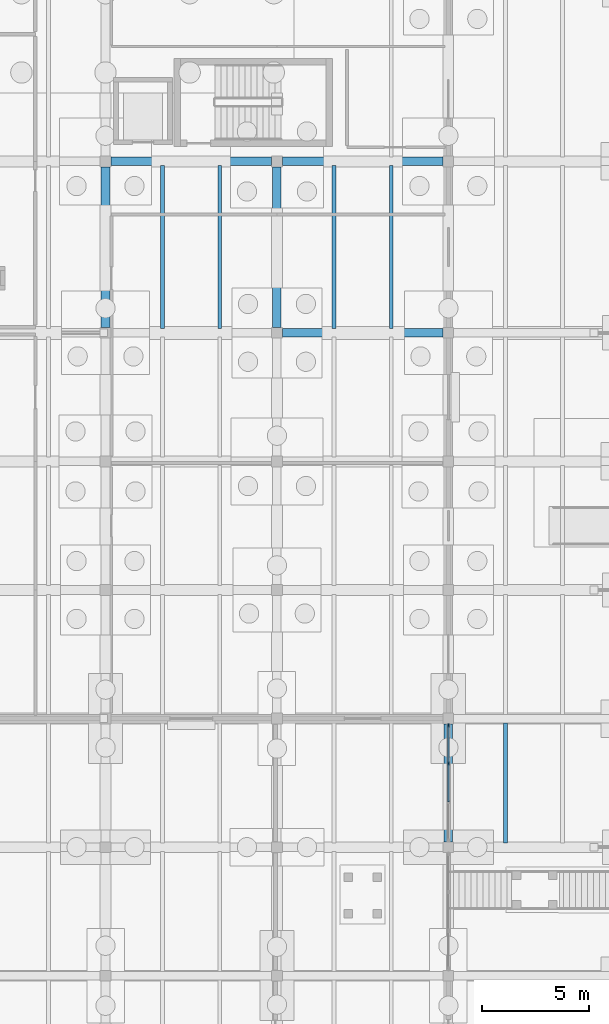
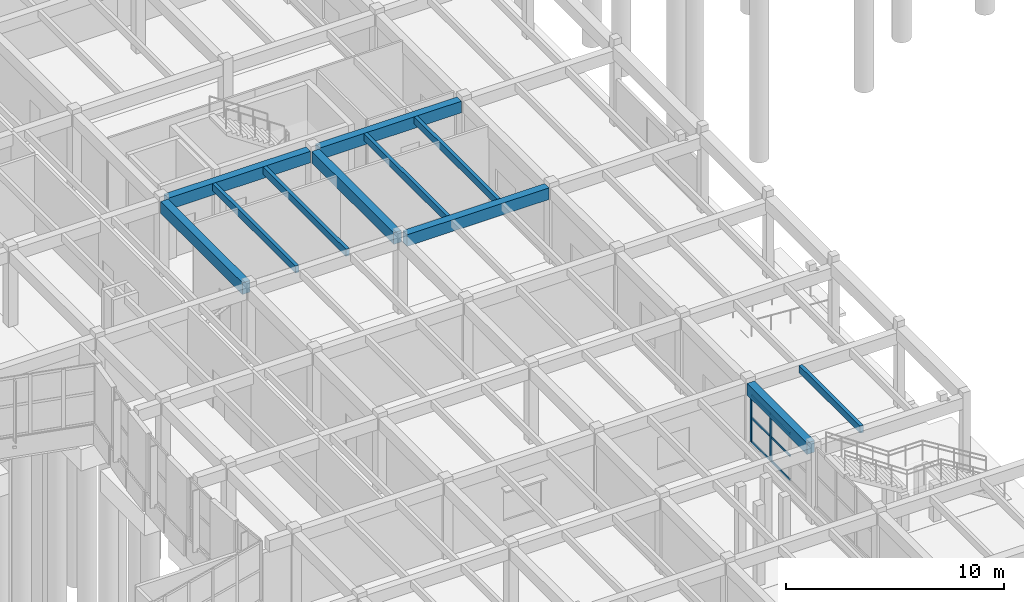
# One storey, part 21 of 99: 11 beams, 8 members, 1 element without a shape of its own.
"""IFC4 building model written with IfcOpenShell, lengths in metres."""

from ifc_helpers import new_model, si_unit, direction, frame, origin, origin_2d, place, context, subcontext, project, spatial, rectangle, extrude, material, layer, layer_set, material_profile, profile_set, type_object, element, aggregate, save


model = new_model("IFC4")

# Units and contexts
model_context = context("Model", 3, precision=1e-05, world=origin(), true_north=direction((0.0, 1.0)))
body_context = subcontext(model_context, "Body", "Model", "MODEL_VIEW")
ifc_project = project(units=[si_unit("LENGTHUNIT", "METRE"), si_unit("AREAUNIT", "SQUARE_METRE"), si_unit("VOLUMEUNIT", "CUBIC_METRE"), si_unit("PLANEANGLEUNIT", "RADIAN"), si_unit("MASSUNIT", "GRAM", prefix="KILO")], contexts=[model_context])

# Site, building, storey
site_placement = place(None, origin())
site = spatial("IfcSite", under=ifc_project, at=site_placement, CompositionType="ELEMENT")
building_placement = place(site_placement, origin())
building = spatial("IfcBuilding", under=site, at=building_placement, Name="Tonlespit Floodbar School", CompositionType="ELEMENT")
storey_placement = place(building_placement, origin())
storey = spatial("IfcBuildingStorey", under=building, at=storey_placement, Name="L00", CompositionType="ELEMENT", Elevation=0.0)

# Beams
ifc_material_1 = material(Name="Concrete C40/50", Category="concrete")
ifc_material_profile_1 = material_profile(ifc_material_1, rectangle(XDim=0.39990234375, YDim=0.64990234375, at=origin_2d()), Name="RC 400x650")
ifc_profile_set_1 = profile_set([ifc_material_profile_1], Name="Concrete C40/50")
beam_type_1 = type_object("IfcBeamType", Name="Beam_RC_400x650", PredefinedType="BEAM", material=ifc_profile_set_1)
for number, where, z_axis, x_axis, name in (
    (1, (28.25, 56.0, 3.9150390625), (1.0, 0.0, 0.0), (0.0, 1.0, 0.0), "L00 girder 0047"),
    (2, (20.25, 64.0, 3.9150390625), (1.0, 0.0, 0.0), (0.0, 1.0, 0.0), "L00 girder 0058"),
    (3, (28.25, 64.0, 3.9150390625), (1.0, 0.0, 0.0), (0.0, 1.0, 0.0), "L00 girder 0059"),
    (4, (20.0, 56.25, 3.9150390625), (0.0, 1.0, 0.0), (-1.0, 0.0, 0.0), "L00 girder 0192"),
    (5, (28.0, 56.25, 3.9150390625), (0.0, 1.0, 0.0), (-1.0, 0.0, 0.0), "L00 girder 0205"),
):
    element("IfcBeam", number, at=place(storey_placement, frame(where, z_axis=z_axis, x_axis=x_axis)), inside=storey, type_object=beam_type_1, Name=name, PredefinedType="BEAM", context=body_context, shape_type="SweptSolid", body=[
        extrude(rectangle(XDim=0.39990234375, YDim=0.64990234375, at=origin_2d()), origin(), (0.0, 0.0, 1.0), 7.5),
    ])
beam_1_placement = place(storey_placement, frame((36.0, 32.25, 3.9150390625), z_axis=(0.0, 1.0, 0.0), x_axis=(-1.0, 0.0, 0.0)))
element("IfcBeam", 6, at=beam_1_placement, inside=storey, type_object=beam_type_1, Name="L00 girder 0212", PredefinedType="BEAM", context=body_context, shape_type="SweptSolid", body=[
    extrude(rectangle(XDim=0.39990234375, YDim=0.64990234375, at=origin_2d()), origin(), (0.0, 0.0, 1.0), 5.5),
])

# Curtain wall, members
ifc_material_2 = material(Name="Anodised Aluminium", Category="aluminium")
ifc_layer = layer(ifc_material_2, 0.159912109375)
ifc_layer_set = layer_set([ifc_layer], Name="Anodised Aluminium")
curtain_wall_type = type_object("IfcCurtainWallType", Name="CurtainWall_5400x2650", PredefinedType="NOTDEFINED", material=ifc_layer_set)
curtain_wall_placement = place(storey_placement, origin())
curtain_wall = element("IfcCurtainWall", 7, at=curtain_wall_placement, inside=storey, type_object=curtain_wall_type, Name="L00 unitised curtain wall 0508", PredefinedType="NOTDEFINED")
ifc_material_profile_2 = material_profile(ifc_material_2, rectangle(XDim=0.06494140625, YDim=0.14990234375, at=origin_2d()), Name="ALU M65x150")
ifc_profile_set_2 = profile_set([ifc_material_profile_2], Name="Anodised Aluminium")
member_type_1 = type_object("IfcMemberType", Name="CW_Mullion_65x150", PredefinedType="MULLION", material=ifc_profile_set_2)
member_1_placement = place(storey_placement, frame((36.0, 37.677490234375, 0.949951171875), z_axis=(0.0, 0.0, 1.0), x_axis=(1.0, 0.0, 0.0)))
member_1 = element("IfcMember", 8, at=member_1_placement, type_object=member_type_1, Name="CW-82 mullion 1", PredefinedType="MULLION", context=body_context, shape_type="SweptSolid", body=[
    extrude(rectangle(XDim=0.06494140625, YDim=0.14990234375, at=origin_2d()), origin(), (0.0, 0.0, 1.0), 2.64013671875),
])
member_2_placement = place(storey_placement, frame((36.0, 35.9033203125, 0.949951171875), z_axis=(0.0, 0.0, 1.0), x_axis=(1.0, 0.0, 0.0)))
member_2 = element("IfcMember", 9, at=member_2_placement, type_object=member_type_1, Name="CW-82 mullion 2", PredefinedType="MULLION", context=body_context, shape_type="SweptSolid", body=[
    extrude(rectangle(XDim=0.06494140625, YDim=0.14990234375, at=origin_2d()), origin(), (0.0, 0.0, 1.0), 2.64013671875),
])
ifc_material_profile_3 = material_profile(ifc_material_2, rectangle(XDim=0.06494140625, YDim=0.1201171875, at=origin_2d()), Name="ALU T65x120")
ifc_profile_set_3 = profile_set([ifc_material_profile_3], Name="Anodised Aluminium")
member_type_2 = type_object("IfcMemberType", Name="CW_Transom_65x120", PredefinedType="USERDEFINED", material=ifc_profile_set_3)
member_3_placement = place(storey_placement, frame((36.0, 37.64501953125, 0.982421875), z_axis=(0.0, -1.0, 0.0), x_axis=(1.0, 0.0, 0.0)))
member_3 = element("IfcMember", 10, at=member_3_placement, type_object=member_type_2, Name="CW-82 transom 1.1", ObjectType="TRANSOM", PredefinedType="USERDEFINED", context=body_context, shape_type="SweptSolid", body=[
    extrude(rectangle(XDim=0.06494140625, YDim=0.1201171875, at=origin_2d()), origin(), (0.0, 0.0, 1.0), 1.709228515625),
])
member_4_placement = place(storey_placement, frame((36.0, 37.64501953125, 2.32275390625), z_axis=(0.0, -1.0, 0.0), x_axis=(1.0, 0.0, 0.0)))
member_4 = element("IfcMember", 11, at=member_4_placement, type_object=member_type_2, Name="CW-82 transom 1.2", ObjectType="TRANSOM", PredefinedType="USERDEFINED", context=body_context, shape_type="SweptSolid", body=[
    extrude(rectangle(XDim=0.06494140625, YDim=0.1201171875, at=origin_2d()), origin(), (0.0, 0.0, 1.0), 1.709228515625),
])
member_5_placement = place(storey_placement, frame((36.0, 37.64501953125, 3.5576171875), z_axis=(0.0, -1.0, 0.0), x_axis=(1.0, 0.0, 0.0)))
member_5 = element("IfcMember", 12, at=member_5_placement, type_object=member_type_2, Name="CW-82 transom 1.3", ObjectType="TRANSOM", PredefinedType="USERDEFINED", context=body_context, shape_type="SweptSolid", body=[
    extrude(rectangle(XDim=0.06494140625, YDim=0.1201171875, at=origin_2d()), origin(), (0.0, 0.0, 1.0), 1.709228515625),
])
member_6_placement = place(storey_placement, frame((36.0, 35.870849609375, 0.982421875), z_axis=(0.0, -1.0, 0.0), x_axis=(1.0, 0.0, 0.0)))
member_6 = element("IfcMember", 13, at=member_6_placement, type_object=member_type_2, Name="CW-82 transom 2.1", ObjectType="TRANSOM", PredefinedType="USERDEFINED", context=body_context, shape_type="SweptSolid", body=[
    extrude(rectangle(XDim=0.06494140625, YDim=0.1201171875, at=origin_2d()), origin(), (0.0, 0.0, 1.0), 1.74169921875),
])
member_7_placement = place(storey_placement, frame((36.0, 35.870849609375, 2.32275390625), z_axis=(0.0, -1.0, 0.0), x_axis=(1.0, 0.0, 0.0)))
member_7 = element("IfcMember", 14, at=member_7_placement, type_object=member_type_2, Name="CW-82 transom 2.2", ObjectType="TRANSOM", PredefinedType="USERDEFINED", context=body_context, shape_type="SweptSolid", body=[
    extrude(rectangle(XDim=0.06494140625, YDim=0.1201171875, at=origin_2d()), origin(), (0.0, 0.0, 1.0), 1.74169921875),
])
member_8_placement = place(storey_placement, frame((36.0, 35.870849609375, 3.5576171875), z_axis=(0.0, -1.0, 0.0), x_axis=(1.0, 0.0, 0.0)))
member_8 = element("IfcMember", 15, at=member_8_placement, type_object=member_type_2, Name="CW-82 transom 2.3", ObjectType="TRANSOM", PredefinedType="USERDEFINED", context=body_context, shape_type="SweptSolid", body=[
    extrude(rectangle(XDim=0.06494140625, YDim=0.1201171875, at=origin_2d()), origin(), (0.0, 0.0, 1.0), 1.74169921875),
])
aggregate(curtain_wall, [member_1, member_2, member_3, member_4, member_5, member_6, member_7, member_8])

# Beams
ifc_material_3 = material(Name="Glulam GL28h", Category="wood")
ifc_material_profile_4 = material_profile(ifc_material_3, rectangle(XDim=0.179931640625, YDim=0.39990234375, at=origin_2d()), Name="GL 180x400")
ifc_profile_set_4 = profile_set([ifc_material_profile_4], Name="Glulam GL28h")
beam_type_2 = type_object("IfcBeamType", Name="Joist_GL_180x400", PredefinedType="JOIST", material=ifc_profile_set_4)
beam_2_placement = place(storey_placement, frame((38.666748046875, 32.199951171875, 4.0400390625), z_axis=(0.0, 1.0, 0.0), x_axis=(-1.0, 0.0, 0.0)))
element("IfcBeam", 16, at=beam_2_placement, inside=storey, type_object=beam_type_2, Name="L00 secondary joist 0371", PredefinedType="JOIST", context=body_context, shape_type="SweptSolid", body=[
    extrude(rectangle(XDim=0.179931640625, YDim=0.39990234375, at=origin_2d()), origin(), (0.0, 0.0, 1.0), 5.60009765625),
])
for number, where, z_axis, x_axis, name in (
    (17, (22.666748046875, 56.199951171875, 4.0400390625), (0.0, 1.0, 0.0), (-1.0, 0.0, 0.0), "L00 secondary joist 0399"),
    (18, (25.333251953125, 56.199951171875, 4.0400390625), (0.0, 1.0, 0.0), (-1.0, 0.0, 0.0), "L00 secondary joist 0400"),
    (19, (30.666748046875, 56.199951171875, 4.0400390625), (0.0, 1.0, 0.0), (-1.0, 0.0, 0.0), "L00 secondary joist 0401"),
    (20, (33.333251953125, 56.199951171875, 4.0400390625), (0.0, 1.0, 0.0), (-1.0, 0.0, 0.0), "L00 secondary joist 0402"),
):
    element("IfcBeam", number, at=place(storey_placement, frame(where, z_axis=z_axis, x_axis=x_axis)), inside=storey, type_object=beam_type_2, Name=name, PredefinedType="JOIST", context=body_context, shape_type="SweptSolid", body=[
        extrude(rectangle(XDim=0.179931640625, YDim=0.39990234375, at=origin_2d()), origin(), (0.0, 0.0, 1.0), 7.60009765625),
    ])

save(model, "model.ifc")
